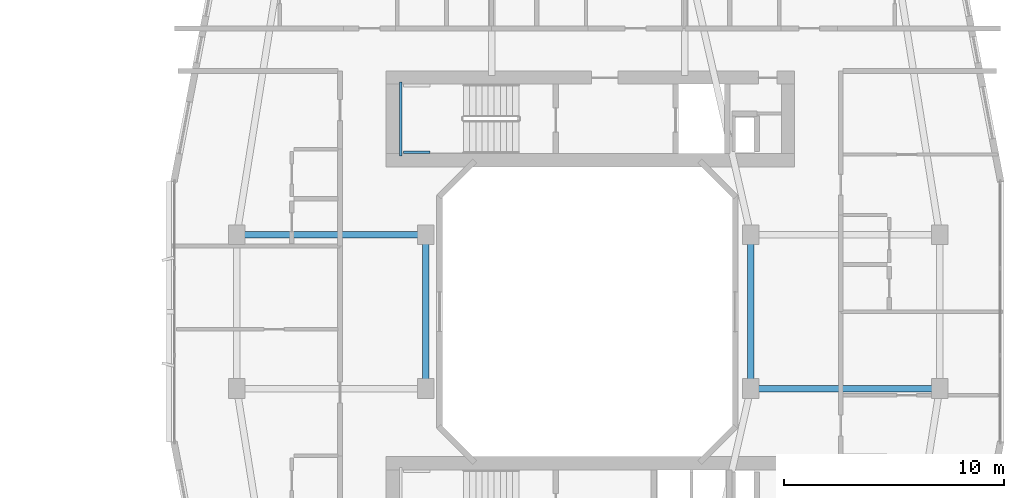
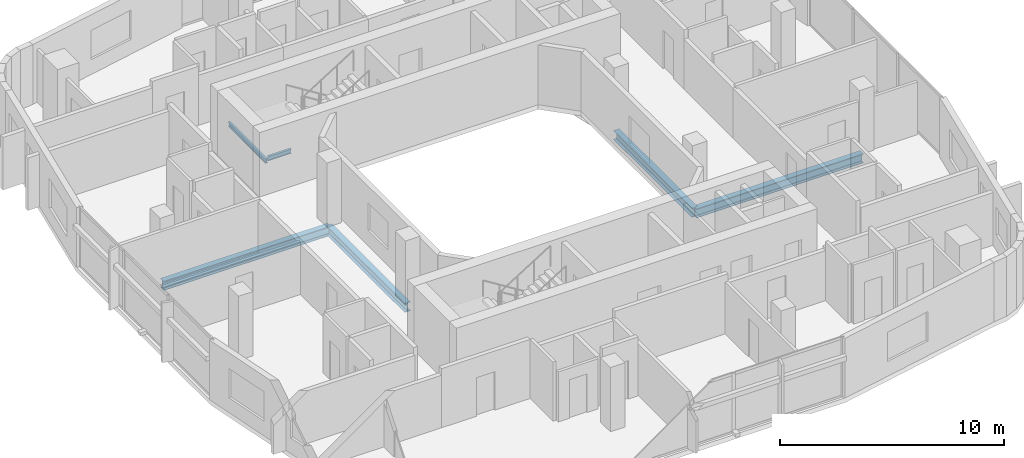
# One storey, part 9 of 27: 6 beams.
"""IFC4 building model written with IfcOpenShell, lengths in metres."""

import ifcopenshell
import ifcopenshell.guid

model = None  # the IFC model being written
_history = None  # IfcOwnerHistory: only IFC2X3 demands one
_inside = {}  # id of a spatial element -> (the spatial element, [elements in it])
_under = {}  # id of a project, library or spatial element -> (it, [spatial elements below it])
_declared = {}  # id of a project -> (the project, [libraries it declares])
_typed = {}  # id of a type object -> (the type object, [elements of that type])
_made_of = {}  # id of a material, layer set ... -> (it, [elements and type objects made of it])


def new_model(schema):
    """Start an empty IFC model of exactly this schema.

    Asked for "IFC4X3", IfcOpenShell would pick the latest addendum, in which some entities
    have other attributes; the version numbers below select the first issue.
    IFC2X3 requires an IfcOwnerHistory on every rooted entity: one is made here for all.
    """
    global model, _history
    if schema == "IFC4X3":
        model = ifcopenshell.file(schema_version=(4, 3, 0, 0))
    else:
        model = ifcopenshell.file(schema=schema)
    _inside.clear()
    _under.clear()
    _declared.clear()
    _typed.clear()
    _made_of.clear()
    _history = None
    if model.schema == "IFC2X3":
        org = make("IfcOrganization", Name="unknown")
        user = make(
            "IfcPersonAndOrganization",
            ThePerson=make("IfcPerson", FamilyName="unknown"),
            TheOrganization=org,
        )
        app = make(
            "IfcApplication",
            ApplicationDeveloper=org,
            Version="unknown",
            ApplicationFullName="unknown",
            ApplicationIdentifier="unknown",
        )
        _history = make(
            "IfcOwnerHistory",
            OwningUser=user,
            OwningApplication=app,
            ChangeAction="ADDED",
            CreationDate=0,
        )
    return model


def make(cls, **values):
    """One entity of the class cls with the attributes given. An attribute that is None is left unset."""
    return model.create_entity(
        cls, **{name: value for name, value in values.items() if value is not None}
    )


def rooted(cls, **values):
    """An entity with a GlobalId (a new one), such as an element, a storey or a relation."""
    return make(cls, GlobalId=ifcopenshell.guid.new(), OwnerHistory=_history, **values)


def si_unit(unit_type, name, prefix=None):
    """IfcSIUnit, for example si_unit("LENGTHUNIT", "METRE", prefix="MILLI")."""
    return make("IfcSIUnit", UnitType=unit_type, Prefix=prefix, Name=name)


def derived_unit(unit_type, elements):
    """IfcDerivedUnit: a product of units, each with its exponent."""
    return make(
        "IfcDerivedUnit",
        Elements=[
            make("IfcDerivedUnitElement", Unit=unit, Exponent=power)
            for unit, power in elements
        ],
        UnitType=unit_type,
    )


def assignment(units):
    """IfcUnitAssignment: the units of a project."""
    return None if units is None else make("IfcUnitAssignment", Units=units)


def point(xyz):
    """IfcCartesianPoint."""
    return None if xyz is None else make("IfcCartesianPoint", Coordinates=xyz)


def direction(xyz):
    """IfcDirection."""
    return None if xyz is None else make("IfcDirection", DirectionRatios=xyz)


def frame(location, z_axis=None, x_axis=None):
    """IfcAxis2Placement3D, a coordinate frame: its origin and axes. An axis left out is left unset."""
    return make(
        "IfcAxis2Placement3D",
        Location=point(location),
        Axis=direction(z_axis),
        RefDirection=direction(x_axis),
    )


def frame_2d(location, x_axis=None):
    """IfcAxis2Placement2D, a coordinate frame in the plane: its origin and x axis."""
    return make(
        "IfcAxis2Placement2D", Location=point(location), RefDirection=direction(x_axis)
    )


def origin():
    """The frame at (0, 0, 0) with its axes left unset."""
    return frame((0.0, 0.0, 0.0))


def origin_2d():
    """The frame at (0, 0) in the plane with its x axis left unset."""
    return frame_2d((0.0, 0.0))


def place(relative_to, where):
    """IfcLocalPlacement: puts the frame where relative to a parent placement (None: the world)."""
    return make(
        "IfcLocalPlacement", PlacementRelTo=relative_to, RelativePlacement=where
    )


def context(
    kind, dimensions, precision=None, world=None, true_north=None, identifier=None
):
    """IfcGeometricRepresentationContext, for example the 3D "Model" context."""
    return make(
        "IfcGeometricRepresentationContext",
        ContextIdentifier=identifier,
        ContextType=kind,
        CoordinateSpaceDimension=dimensions,
        Precision=precision,
        WorldCoordinateSystem=world,
        TrueNorth=true_north,
    )


def subcontext(parent, identifier, kind, view, scale=None):
    """IfcGeometricRepresentationSubContext, for example "Body" below "Model"."""
    return make(
        "IfcGeometricRepresentationSubContext",
        ContextIdentifier=identifier,
        ContextType=kind,
        ParentContext=parent,
        TargetScale=scale,
        TargetView=view,
    )


def project(units=None, contexts=None):
    """IfcProject with its units and contexts."""
    return rooted(
        "IfcProject",
        Name="project",
        RepresentationContexts=contexts,
        UnitsInContext=assignment(units),
    )


def spatial(cls, under=None, at=None, **own):
    """A site, building, storey or space (cls), placed at a placement, below another one or the project."""
    s = rooted(cls, ObjectPlacement=at, **own)
    if under is not None:
        _under.setdefault(under.id(), (under, []))[1].append(s)
    return s


def profile(cls, at=None, kind="AREA", **sizes):
    """A parametric profile (cls). Its sizes go by their IFC names, for example OverallWidth=200.0."""
    return make(cls, ProfileType=kind, Position=at, **sizes)


def i_section(**sizes):
    """IfcIShapeProfileDef."""
    return profile("IfcIShapeProfileDef", **sizes)


def extrude(swept, where, along, depth):
    """IfcExtrudedAreaSolid: the profile swept, set in the frame where, extruded along a direction by depth."""
    return make(
        "IfcExtrudedAreaSolid",
        SweptArea=swept,
        Position=where,
        ExtrudedDirection=direction(along),
        Depth=depth,
    )


def shape(context_of_items, identifier, shape_type, items):
    """IfcShapeRepresentation: the items that make up one representation, for example the "Body"."""
    return make(
        "IfcShapeRepresentation",
        ContextOfItems=context_of_items,
        RepresentationIdentifier=identifier,
        RepresentationType=shape_type,
        Items=items,
    )


def material(Name=None, Category=None):
    """IfcMaterial."""
    return make("IfcMaterial", Name=Name, Category=Category)


def material_profile(
    of_material, cross_section, Name=None, Category=None, Priority=None
):
    """IfcMaterialProfile: a cross section and its material."""
    return make(
        "IfcMaterialProfile",
        Name=Name,
        Material=of_material,
        Profile=cross_section,
        Priority=Priority,
        Category=Category,
    )


def profile_set(profiles, Name=None, composite=None):
    """IfcMaterialProfileSet."""
    return make(
        "IfcMaterialProfileSet",
        Name=Name,
        MaterialProfiles=profiles,
        CompositeProfile=composite,
    )


def made_of(thing, what):
    """Note that an element or type object is made of a material, layer set ...; save() writes the relation."""
    if what is not None:
        _made_of.setdefault(what.id(), (what, []))[1].append(thing)
    return thing


def type_object(cls, material=None, **own):
    """A type object (cls), such as IfcWallType, which elements share."""
    return made_of(rooted(cls, **own), material)


def element(
    cls,
    number,
    at=None,
    inside=None,
    cuts=None,
    type_object=None,
    material=None,
    context=None,
    identifier="Body",
    shape_type=None,
    held_by="IfcProductDefinitionShape",
    body=None,
    shapes=None,
    **own,
):
    """One element of the class cls, such as IfcWall. Its Tag is "e" and its number.

    at: its placement. inside: the storey or other place that contains it. cuts: it is an
    opening in that element (IfcRelVoidsElement). A single representation is given by context,
    identifier, shape_type and body (its items); several are given by shapes. held_by: the class
    of the entity that holds the representations. save() writes the other relations.
    """
    e = rooted(cls, Tag="e%d" % number, ObjectPlacement=at, **own)
    if body is not None:
        shapes = [shape(context, identifier, shape_type, body)]
    if shapes is not None:
        e.Representation = make(held_by, Representations=shapes)
    if inside is not None:
        _inside.setdefault(inside.id(), (inside, []))[1].append(e)
    if cuts is not None:
        rooted(
            "IfcRelVoidsElement", RelatingBuildingElement=cuts, RelatedOpeningElement=e
        )
    if type_object is not None:
        _typed.setdefault(type_object.id(), (type_object, []))[1].append(e)
    return made_of(e, material)


def aggregate(whole, parts):
    """IfcRelAggregates: a whole, such as a stair, and the parts it consists of."""
    return rooted("IfcRelAggregates", RelatingObject=whole, RelatedObjects=parts)


def save(model, path):
    """Write the relations noted so far, then the file.

    IfcRelAggregates (storeys below a building ...), IfcRelContainedInSpatialStructure (elements
    in a storey), IfcRelDefinesByType, IfcRelAssociatesMaterial and IfcRelDeclares: one each for
    every whole, place, type object, material and project.
    """
    for whole, parts in _under.values():
        aggregate(whole, parts)
    for where, things in _inside.values():
        rooted(
            "IfcRelContainedInSpatialStructure",
            RelatedElements=things,
            RelatingStructure=where,
        )
    for kind, things in _typed.values():
        rooted("IfcRelDefinesByType", RelatedObjects=things, RelatingType=kind)
    for what, things in _made_of.values():
        rooted("IfcRelAssociatesMaterial", RelatedObjects=things, RelatingMaterial=what)
    for by, libraries in _declared.values():
        rooted("IfcRelDeclares", RelatingContext=by, RelatedDefinitions=libraries)
    model.write(path)


model = new_model("IFC4")

# Units and contexts
model_context = context("Model", 3, precision=1e-05, world=origin(), true_north=direction((0.0, 1.0)))
body_context = subcontext(model_context, "Body", "Model", "MODEL_VIEW")
ifc_project = project(units=[si_unit("LENGTHUNIT", "METRE"), si_unit("AREAUNIT", "SQUARE_METRE"), si_unit("VOLUMEUNIT", "CUBIC_METRE"), si_unit("PLANEANGLEUNIT", "RADIAN"), si_unit("MASSUNIT", "GRAM", prefix="KILO"), derived_unit("THERMALTRANSMITTANCEUNIT", [(si_unit("POWERUNIT", "WATT"), 1), (si_unit("LENGTHUNIT", "METRE"), -2), (si_unit("THERMODYNAMICTEMPERATUREUNIT", "KELVIN"), -1)])], contexts=[model_context])

# Site, building, storey
site_placement = place(None, origin())
site = spatial("IfcSite", under=ifc_project, at=site_placement, CompositionType="ELEMENT")
building_placement = place(site_placement, origin())
building = spatial("IfcBuilding", under=site, at=building_placement, Name="Kivonza Crest Hotel", CompositionType="ELEMENT")
storey_placement = place(building_placement, frame((0.0, 0.0, 31.0)))
storey = spatial("IfcBuildingStorey", under=building, at=storey_placement, Name="L07", CompositionType="ELEMENT", Elevation=31.0)

# Beams
ifc_material = material(Name="Steel S355", Category="steel")
ifc_material_profile_1 = material_profile(ifc_material, i_section(OverallWidth=0.300048828125, OverallDepth=0.5, WebThickness=0.014404296875, FlangeThickness=0.028076171875, FilletRadius=0.027099609375, at=origin_2d()), Name="HEB 500")
ifc_profile_set_1 = profile_set([ifc_material_profile_1], Name="Steel S355")
beam_type_1 = type_object("IfcBeamType", Name="BM-HEB500", PredefinedType="BEAM", material=ifc_profile_set_1)
beam_1_placement = place(storey_placement, frame((61.0, 28.5, -0.5), z_axis=(1.0, 0.0, 0.0), x_axis=(0.0, 1.0, 0.0)))
element("IfcBeam", 1, at=beam_1_placement, inside=storey, type_object=beam_type_1, Name="Companion Tower T2 L07 girder W2-WL2", PredefinedType="BEAM", context=body_context, shape_type="SweptSolid", body=[
    extrude(i_section(OverallWidth=0.300048828125, OverallDepth=0.5, WebThickness=0.014404296875, FlangeThickness=0.028076171875, FilletRadius=0.027099609375, at=origin_2d()), origin(), (0.0, 0.0, 1.0), 8.60009765625),
])
beam_2_placement = place(storey_placement, frame((69.60009765625, 21.5, -0.5), z_axis=(0.0, 1.0, 0.0), x_axis=(-1.0, 0.0, 0.0)))
element("IfcBeam", 2, at=beam_2_placement, inside=storey, type_object=beam_type_1, Name="Companion Tower T2 L07 girder WL1-WL2", PredefinedType="BEAM", context=body_context, shape_type="SweptSolid", body=[
    extrude(i_section(OverallWidth=0.300048828125, OverallDepth=0.5, WebThickness=0.014404296875, FlangeThickness=0.028076171875, FilletRadius=0.027099609375, at=origin_2d()), origin(), (0.0, 0.0, 1.0), 7.0),
])
beam_3_placement = place(storey_placement, frame((84.39990234375, 21.5, -0.5), z_axis=(1.0, 0.0, 0.0), x_axis=(0.0, 1.0, 0.0)))
element("IfcBeam", 3, at=beam_3_placement, inside=storey, type_object=beam_type_1, Name="Companion Tower T2 L07 girder WR1-E1", PredefinedType="BEAM", context=body_context, shape_type="SweptSolid", body=[
    extrude(i_section(OverallWidth=0.300048828125, OverallDepth=0.5, WebThickness=0.014404296875, FlangeThickness=0.028076171875, FilletRadius=0.027099609375, at=origin_2d()), origin(), (0.0, 0.0, 1.0), 8.60009765625),
])
beam_4_placement = place(storey_placement, frame((84.39990234375, 21.5, -0.5), z_axis=(0.0, 1.0, 0.0), x_axis=(-1.0, 0.0, 0.0)))
element("IfcBeam", 4, at=beam_4_placement, inside=storey, type_object=beam_type_1, Name="Companion Tower T2 L07 girder WR1-WR2", PredefinedType="BEAM", context=body_context, shape_type="SweptSolid", body=[
    extrude(i_section(OverallWidth=0.300048828125, OverallDepth=0.5, WebThickness=0.014404296875, FlangeThickness=0.028076171875, FilletRadius=0.027099609375, at=origin_2d()), origin(), (0.0, 0.0, 1.0), 7.0),
])
ifc_material_profile_2 = material_profile(ifc_material, i_section(OverallWidth=0.1201171875, OverallDepth=0.239990234375, WebThickness=0.006103515625, FlangeThickness=0.009765625, FilletRadius=0.014892578125, at=origin_2d()), Name="IPE 240")
ifc_profile_set_2 = profile_set([ifc_material_profile_2], Name="Steel S355")
beam_type_2 = type_object("IfcBeamType", Name="BM-LLDG-240", PredefinedType="BEAM", material=ifc_profile_set_2)
beam_5_placement = place(storey_placement, frame((68.4599609375, 32.10009765625, 1.429931640625), z_axis=(0.0, 1.0, 0.0), x_axis=(-1.0, 0.0, 0.0)))
element("IfcBeam", 5, at=beam_5_placement, inside=storey, type_object=beam_type_2, Name="Stair ST-T2-N L07 West landing corbel", PredefinedType="BEAM", context=body_context, shape_type="SweptSolid", body=[
    extrude(i_section(OverallWidth=0.1201171875, OverallDepth=0.239990234375, WebThickness=0.006103515625, FlangeThickness=0.009765625, FilletRadius=0.014892578125, at=origin_2d()), origin(), (0.0, 0.0, 1.0), 3.35986328125),
])
beam_6_placement = place(storey_placement, frame((68.590087890625, 32.260009765625, 1.429931640625), z_axis=(1.0, 0.0, 0.0), x_axis=(0.0, 1.0, 0.0)))
element("IfcBeam", 6, at=beam_6_placement, inside=storey, type_object=beam_type_2, Name="Stair ST-T2-N L07 South landing corbel", PredefinedType="BEAM", context=body_context, shape_type="SweptSolid", body=[
    extrude(i_section(OverallWidth=0.1201171875, OverallDepth=0.239990234375, WebThickness=0.006103515625, FlangeThickness=0.009765625, FilletRadius=0.014892578125, at=origin_2d()), origin(), (0.0, 0.0, 1.0), 1.2099609375),
])

save(model, "model.ifc")
